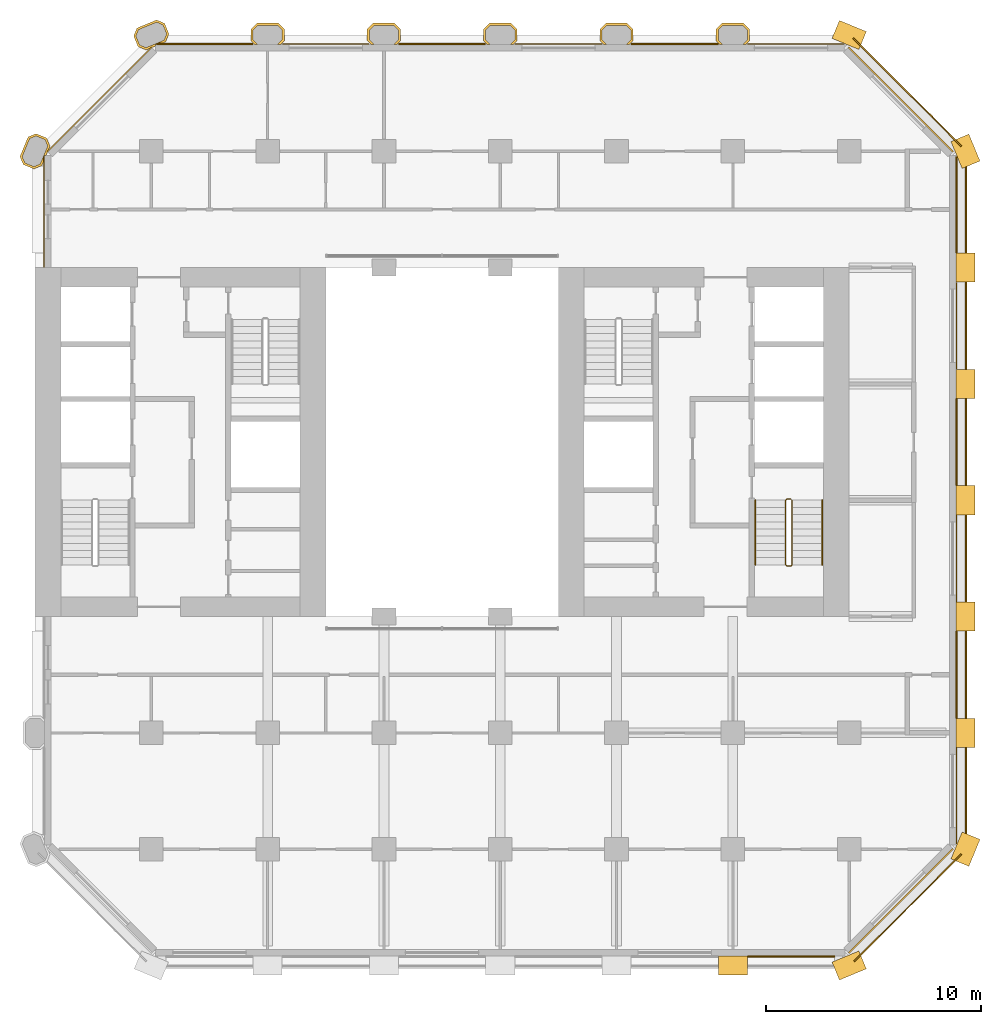
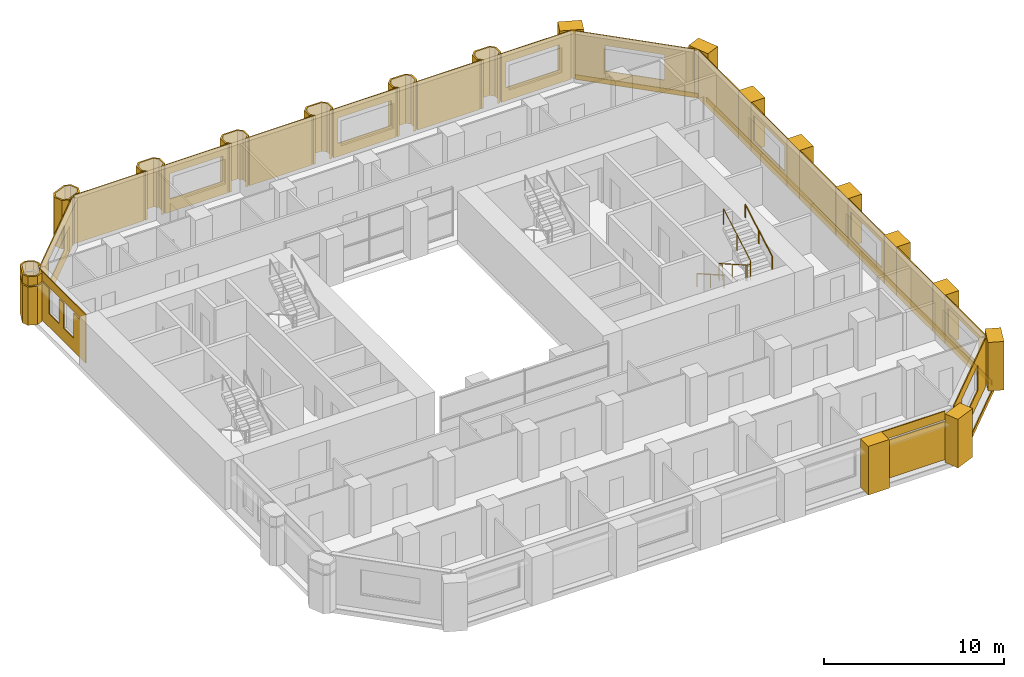
# One storey, part 13 of 13: 39 coverings, 3 railings.
"""IFC4 building model written with IfcOpenShell, lengths in metres."""

from ifc_helpers import new_model, si_unit, direction, frame, frame_2d, origin, origin_2d, place, context, subcontext, project, spatial, polyline, rectangle, circle, outline, extrude, material, layer, layer_set, type_object, element, save


model = new_model("IFC4")

# Units and contexts
model_context = context("Model", 3, precision=1e-05, world=origin(), true_north=direction((0.0, 1.0)))
body_context = subcontext(model_context, "Body", "Model", "MODEL_VIEW")
ifc_project = project(units=[si_unit("LENGTHUNIT", "METRE"), si_unit("AREAUNIT", "SQUARE_METRE"), si_unit("VOLUMEUNIT", "CUBIC_METRE"), si_unit("PLANEANGLEUNIT", "RADIAN"), si_unit("MASSUNIT", "GRAM", prefix="KILO")], contexts=[model_context])

# Site, building, storey
site_placement = place(None, origin())
site = spatial("IfcSite", under=ifc_project, at=site_placement, CompositionType="ELEMENT")
building_placement = place(site_placement, origin())
building = spatial("IfcBuilding", under=site, at=building_placement, Name="Tabaq Tower and Sports Hall", CompositionType="ELEMENT")
storey_placement = place(building_placement, frame((0.0, 0.0, 56.39990234375)))
storey = spatial("IfcBuildingStorey", under=building, at=storey_placement, Name="L12", CompositionType="ELEMENT", Elevation=56.39990234375)

# Coverings
ifc_material_1 = material(Name="Precast concrete C60/75", Category="concrete")
ifc_layer_1 = layer(ifc_material_1, 0.10009765625)
ifc_layer_set_1 = layer_set([ifc_layer_1], Name="Column cladding 100")
covering_type_1 = type_object("IfcCoveringType", Name="Column cladding 100", PredefinedType="CLADDING", material=ifc_layer_set_1)
covering_1_placement = place(storey_placement, origin())
element("IfcCovering", 1, at=covering_1_placement, inside=storey, type_object=covering_type_1, Name="Column cladding L12 PC-2H-O1", PredefinedType="CLADDING", context=body_context, shape_type="SweptSolid", body=[
    extrude(outline(polyline([(4.857421875, 37.186279296875), (4.7041015625, 37.556396484375), (5.080078125, 38.46435546875), (5.450439453125, 38.61767578125), (5.9423828125, 38.413818359375), (6.095947265625, 38.04345703125), (6.026123046875, 37.875), (5.9501953125, 37.799072265625), (5.9814453125, 37.767578125), (5.91796875, 37.614013671875), (5.849609375, 37.614013671875), (5.849609375, 37.55712890625), (5.789794921875, 37.55712890625), (5.789794921875, 37.304443359375), (5.7197265625, 37.1357421875), (5.349609375, 36.982421875), (4.857421875, 37.186279296875)]), holes=[polyline([(5.866455078125, 38.337646484375), (5.450439453125, 38.510009765625), (5.15625, 38.38818359375), (4.811767578125, 37.556396484375), (4.93359375, 37.26220703125), (5.349609375, 37.08984375), (5.643798828125, 37.2119140625), (5.98828125, 38.04345703125), (5.866455078125, 38.337646484375)])]), origin(), (0.0, 0.0, 1.0), 2.60009765625),
])
covering_2_placement = place(storey_placement, frame((0.0, 0.0, 2.7001953125)))
element("IfcCovering", 2, at=covering_2_placement, inside=storey, type_object=covering_type_1, Name="Column cladding L12 PC-2H-O1 2", PredefinedType="CLADDING", context=body_context, shape_type="SweptSolid", body=[
    extrude(outline(polyline([(4.857421875, 37.186279296875), (4.7041015625, 37.556396484375), (5.080078125, 38.46435546875), (5.450439453125, 38.61767578125), (5.9423828125, 38.413818359375), (6.095947265625, 38.04345703125), (6.026123046875, 37.875), (5.9501953125, 37.799072265625), (5.9814453125, 37.767578125), (5.91796875, 37.614013671875), (5.849609375, 37.614013671875), (5.849609375, 37.55712890625), (5.789794921875, 37.55712890625), (5.789794921875, 37.304443359375), (5.7197265625, 37.1357421875), (5.349609375, 36.982421875), (4.857421875, 37.186279296875)]), holes=[polyline([(5.866455078125, 38.337646484375), (5.450439453125, 38.510009765625), (5.15625, 38.38818359375), (4.811767578125, 37.556396484375), (4.93359375, 37.26220703125), (5.349609375, 37.08984375), (5.643798828125, 37.2119140625), (5.98828125, 38.04345703125), (5.866455078125, 38.337646484375)])]), origin(), (0.0, 0.0, 1.0), 0.599853515625),
])
covering_3_placement = place(storey_placement, origin())
element("IfcCovering", 3, at=covering_3_placement, inside=storey, type_object=covering_type_1, Name="Column cladding L12 PC-3I-O1", PredefinedType="CLADDING", context=body_context, shape_type="SweptSolid", body=[
    extrude(outline(polyline([(9.982421875, 43.149658203125), (10.1357421875, 43.519775390625), (11.04345703125, 43.895751953125), (11.413818359375, 43.742431640625), (11.61767578125, 43.25048828125), (11.46435546875, 42.880126953125), (11.295654296875, 42.810302734375), (11.04296875, 42.810302734375), (11.04296875, 42.750244140625), (10.986083984375, 42.750244140625), (10.986083984375, 42.68212890625), (10.83251953125, 42.618408203125), (10.801025390625, 42.64990234375), (10.72509765625, 42.573974609375), (10.556396484375, 42.504150390625), (10.186279296875, 42.657470703125), (9.982421875, 43.149658203125)]), holes=[polyline([(11.510009765625, 43.25048828125), (11.337646484375, 43.66650390625), (11.04345703125, 43.788330078125), (10.2119140625, 43.44384765625), (10.08984375, 43.149658203125), (10.26220703125, 42.733642578125), (10.556396484375, 42.61181640625), (11.38818359375, 42.956298828125), (11.510009765625, 43.25048828125)])]), origin(), (0.0, 0.0, 1.0), 3.300048828125),
])
covering_4_placement = place(storey_placement, origin())
element("IfcCovering", 4, at=covering_4_placement, inside=storey, type_object=covering_type_1, Name="Column cladding L12 PC-4I-O1", PredefinedType="CLADDING", context=body_context, shape_type="SweptSolid", body=[
    extrude(outline(polyline([(15.42529296875, 43.46630859375), (15.708740234375, 43.749755859375), (16.69140625, 43.749755859375), (16.974609375, 43.46630859375), (16.974609375, 42.93359375), (16.791259765625, 42.750244140625), (16.650634765625, 42.750244140625), (16.875244140625, 42.974853515625), (16.875244140625, 43.425048828125), (16.650146484375, 43.650390625), (15.749755859375, 43.650390625), (15.524658203125, 43.425048828125), (15.524658203125, 42.974853515625), (15.749267578125, 42.750244140625), (15.608642578125, 42.750244140625), (15.42529296875, 42.93359375), (15.42529296875, 43.46630859375)])), origin(), (0.0, 0.0, 1.0), 3.300048828125),
])
covering_5_placement = place(storey_placement, origin())
element("IfcCovering", 5, at=covering_5_placement, inside=storey, type_object=covering_type_1, Name="Column cladding L12 PC-5I-O1", PredefinedType="CLADDING", context=body_context, shape_type="SweptSolid", body=[
    extrude(outline(polyline([(20.8251953125, 43.46630859375), (21.108642578125, 43.749755859375), (22.09130859375, 43.749755859375), (22.374755859375, 43.46630859375), (22.374755859375, 42.93359375), (22.19140625, 42.750244140625), (22.05078125, 42.750244140625), (22.275390625, 42.974853515625), (22.275390625, 43.425048828125), (22.050048828125, 43.650390625), (21.14990234375, 43.650390625), (20.9248046875, 43.425048828125), (20.9248046875, 42.974853515625), (21.149169921875, 42.750244140625), (21.0087890625, 42.750244140625), (20.8251953125, 42.93359375), (20.8251953125, 43.46630859375)])), origin(), (0.0, 0.0, 1.0), 3.300048828125),
])
covering_6_placement = place(storey_placement, origin())
element("IfcCovering", 6, at=covering_6_placement, inside=storey, type_object=covering_type_1, Name="Column cladding L12 PC-6I-O1", PredefinedType="CLADDING", context=body_context, shape_type="SweptSolid", body=[
    extrude(outline(polyline([(26.225341796875, 43.46630859375), (26.5087890625, 43.749755859375), (27.4912109375, 43.749755859375), (27.774658203125, 43.46630859375), (27.774658203125, 42.93359375), (27.59130859375, 42.750244140625), (27.45068359375, 42.750244140625), (27.67529296875, 42.974853515625), (27.67529296875, 43.425048828125), (27.4501953125, 43.650390625), (26.5498046875, 43.650390625), (26.32470703125, 43.425048828125), (26.32470703125, 42.974853515625), (26.54931640625, 42.750244140625), (26.40869140625, 42.750244140625), (26.225341796875, 42.93359375), (26.225341796875, 43.46630859375)])), origin(), (0.0, 0.0, 1.0), 3.300048828125),
])
covering_7_placement = place(storey_placement, origin())
element("IfcCovering", 7, at=covering_7_placement, inside=storey, type_object=covering_type_1, Name="Column cladding L12 PC-7I-O1", PredefinedType="CLADDING", context=body_context, shape_type="SweptSolid", body=[
    extrude(outline(polyline([(31.625244140625, 43.46630859375), (31.90869140625, 43.749755859375), (32.891357421875, 43.749755859375), (33.1748046875, 43.46630859375), (33.1748046875, 42.93359375), (32.9912109375, 42.750244140625), (32.850830078125, 42.750244140625), (33.0751953125, 42.974853515625), (33.0751953125, 43.425048828125), (32.85009765625, 43.650390625), (31.949951171875, 43.650390625), (31.724609375, 43.425048828125), (31.724609375, 42.974853515625), (31.94921875, 42.750244140625), (31.80859375, 42.750244140625), (31.625244140625, 42.93359375), (31.625244140625, 43.46630859375)])), origin(), (0.0, 0.0, 1.0), 3.300048828125),
])
covering_8_placement = place(storey_placement, origin())
element("IfcCovering", 8, at=covering_8_placement, inside=storey, type_object=covering_type_1, Name="Column cladding L12 PC-8I-O1", PredefinedType="CLADDING", context=body_context, shape_type="SweptSolid", body=[
    extrude(outline(polyline([(37.025390625, 43.46630859375), (37.30859375, 43.749755859375), (38.291259765625, 43.749755859375), (38.57470703125, 43.46630859375), (38.57470703125, 42.93359375), (38.391357421875, 42.750244140625), (38.250732421875, 42.750244140625), (38.475341796875, 42.974853515625), (38.475341796875, 43.425048828125), (38.250244140625, 43.650390625), (37.349853515625, 43.650390625), (37.124755859375, 43.425048828125), (37.124755859375, 42.974853515625), (37.349365234375, 42.750244140625), (37.208740234375, 42.750244140625), (37.025390625, 42.93359375), (37.025390625, 43.46630859375)])), origin(), (0.0, 0.0, 1.0), 3.300048828125),
])
ifc_material_2 = material(Name="Precast concrete C60/75", Category="concrete")
ifc_layer_2 = layer(ifc_material_2, 0.06005859375)
ifc_layer_set_2 = layer_set([ifc_layer_2], Name="Edge beam cladding 60")
covering_type_2 = type_object("IfcCoveringType", Name="Edge beam cladding 60", PredefinedType="CLADDING", material=ifc_layer_set_2)
covering_9_placement = place(storey_placement, frame((43.432373046875, 0.18994140625, -0.2998046875), z_axis=(0.0, 0.0, 1.0), x_axis=(0.707106781187, 0.707106781187, 0.0)))
element("IfcCovering", 9, at=covering_9_placement, inside=storey, type_object=covering_type_2, Name="Edge beam cladding L12 2", PredefinedType="CLADDING", context=body_context, shape_type="SweptSolid", body=[
    extrude(rectangle(XDim=7.03955078125, YDim=0.06005859375, at=frame_2d((3.519775390625, 0.0))), origin(), (0.0, 0.0, 1.0), 0.2998046875),
])
covering_10_placement = place(storey_placement, frame((48.6298828125, 5.698486328125, -0.2998046875), z_axis=(0.0, 0.0, 1.0), x_axis=(0.0, 1.0, 0.0)))
element("IfcCovering", 10, at=covering_10_placement, inside=storey, type_object=covering_type_2, Name="Edge beam cladding L12 3", PredefinedType="CLADDING", context=body_context, shape_type="SweptSolid", body=[
    extrude(rectangle(XDim=31.802978515625, YDim=0.06005859375, at=frame_2d((15.9013671875, 0.0))), origin(), (0.0, 0.0, 1.0), 0.2998046875),
])
covering_11_placement = place(storey_placement, frame((48.41015625, 38.0322265625, -0.2998046875), z_axis=(0.0, 0.0, 1.0), x_axis=(-0.707106781187, 0.707106781187, 0.0)))
element("IfcCovering", 11, at=covering_11_placement, inside=storey, type_object=covering_type_2, Name="Edge beam cladding L12 4", PredefinedType="CLADDING", context=body_context, shape_type="SweptSolid", body=[
    extrude(rectangle(XDim=7.08837890625, YDim=0.06005859375, at=frame_2d((3.544189453125, 0.0))), origin(), (0.0, 0.0, 1.0), 0.2998046875),
])
ifc_material_3 = material(Name="White precast concrete C60/75", Category="concrete")
covering_type_3 = type_object("IfcCoveringType", Name="Pier cladding hung 1350x900", PredefinedType="CLADDING", material=ifc_material_3)
for number, where, z_axis, x_axis, name in (
    (12, (37.125, 0.0, 0.0), (0.0, 0.0, 1.0), (1.0, 0.0, 0.0), "Hung pier cladding 7/0"),
    (13, (42.576416015625, -0.25830078125, 0.0), (0.0, 0.0, 1.0), (0.923893411637, 0.382649923473, 0.0), "Hung pier cladding 8/0"),
    (14, (43.82373046875, 42.941650390625, 0.0), (0.0, 0.0, 1.0), (-0.923893411637, 0.382649923473, 0.0), "Hung pier cladding 8/8"),
    (15, (48.341796875, 4.7763671875, 0.0), (0.0, 0.0, 1.0), (0.382649923473, 0.923893411637, 0.0), "Hung pier cladding 9/1"),
    (16, (48.60009765625, 10.125, 0.0), (0.0, 0.0, 1.0), (0.0, 1.0, 0.0), "Hung pier cladding 9/2"),
    (17, (48.60009765625, 15.52490234375, 0.0), (0.0, 0.0, 1.0), (0.0, 1.0, 0.0), "Hung pier cladding 9/3"),
):
    element("IfcCovering", number, at=place(storey_placement, frame(where, z_axis=z_axis, x_axis=x_axis)), inside=storey, type_object=covering_type_3, Name=name, PredefinedType="CLADDING", context=body_context, shape_type="SweptSolid", body=[
        extrude(rectangle(XDim=1.35009765625, YDim=0.89990234375, at=frame_2d((0.675048828125, 0.0))), origin(), (0.0, 0.0, 1.0), 3.300048828125),
    ])
covering_12_placement = place(storey_placement, frame((48.60009765625, 20.925048828125, 0.0), z_axis=(0.0, 0.0, 1.0), x_axis=(0.0, 1.0, 0.0)))
element("IfcCovering", 18, at=covering_12_placement, inside=storey, type_object=covering_type_3, Name="Hung pier cladding 9/4", PredefinedType="CLADDING", context=body_context, shape_type="SweptSolid", body=[
    extrude(rectangle(XDim=1.349853515625, YDim=0.89990234375, at=frame_2d((0.6748046875, 0.0))), origin(), (0.0, 0.0, 1.0), 3.300048828125),
])
covering_13_placement = place(storey_placement, frame((48.60009765625, 26.324951171875, 0.0), z_axis=(0.0, 0.0, 1.0), x_axis=(0.0, 1.0, 0.0)))
element("IfcCovering", 19, at=covering_13_placement, inside=storey, type_object=covering_type_3, Name="Hung pier cladding 9/5", PredefinedType="CLADDING", context=body_context, shape_type="SweptSolid", body=[
    extrude(rectangle(XDim=1.35009765625, YDim=0.89990234375, at=frame_2d((0.675048828125, 0.0))), origin(), (0.0, 0.0, 1.0), 3.300048828125),
])
covering_14_placement = place(storey_placement, frame((48.60009765625, 31.72509765625, 0.0), z_axis=(0.0, 0.0, 1.0), x_axis=(0.0, 1.0, 0.0)))
element("IfcCovering", 20, at=covering_14_placement, inside=storey, type_object=covering_type_3, Name="Hung pier cladding 9/6", PredefinedType="CLADDING", context=body_context, shape_type="SweptSolid", body=[
    extrude(rectangle(XDim=1.349853515625, YDim=0.89990234375, at=frame_2d((0.6748046875, 0.0))), origin(), (0.0, 0.0, 1.0), 3.300048828125),
])
covering_15_placement = place(storey_placement, frame((48.8583984375, 37.17626953125, 0.0), z_axis=(0.0, 0.0, 1.0), x_axis=(-0.382649923473, 0.923893411637, 0.0)))
element("IfcCovering", 21, at=covering_15_placement, inside=storey, type_object=covering_type_3, Name="Hung pier cladding 9/7", PredefinedType="CLADDING", context=body_context, shape_type="SweptSolid", body=[
    extrude(rectangle(XDim=1.35009765625, YDim=0.89990234375, at=frame_2d((0.675048828125, 0.0))), origin(), (0.0, 0.0, 1.0), 3.300048828125),
])

# Railings
ifc_material_4 = material(Name="Stainless steel", Category="steel")
railing_type_1 = type_object("IfcRailingType", Name="Stair guard", PredefinedType="GUARDRAIL", material=ifc_material_4)
railing_1_placement = place(storey_placement, frame((40.5, 21.64990234375, 0.0)))
element("IfcRailing", 22, at=railing_1_placement, inside=storey, type_object=railing_type_1, Name="L12 ST3 stair guard 1", PredefinedType="GUARDRAIL", context=body_context, shape_type="SweptSolid", body=[
    extrude(circle(Radius=0.02392578125, at=origin_2d()), frame((0.0, 0.0, 1.076171875), z_axis=(-1.0, 0.0, 0.0), x_axis=(0.0, -1.0, 0.0)), (0.0, 0.0, 1.0), 0.199951171875),
    extrude(circle(Radius=0.02392578125, at=origin_2d()), frame((-0.199951171875, 0.0, 1.076171875), z_axis=(-0.246704845944, -0.245501407671, 0.937478414588), x_axis=(0.705375805398, -0.708833529934, 0.0)), (0.0, 0.0, 1.0), 0.202880859375),
    extrude(circle(Radius=0.02392578125, at=origin_2d()), frame((-0.25, -0.0498046875, 1.26611328125), z_axis=(0.0, -0.868782136927, 0.495194505781), x_axis=(1.0, 0.0, 0.0)), (0.0, 0.0, 1.0), 3.453125),
    extrude(circle(Radius=0.02392578125, at=origin_2d()), frame((-0.25, -3.0498046875, 2.97607421875), z_axis=(0.707106781187, -0.707106781187, 0.0), x_axis=(0.707106781187, 0.707106781187, 0.0)), (0.0, 0.0, 1.0), 0.07080078125),
    extrude(circle(Radius=0.02392578125, at=origin_2d()), frame((-0.199951171875, -3.099853515625, 2.97607421875), z_axis=(1.0, 0.0, 0.0), x_axis=(0.0, 1.0, 0.0)), (0.0, 0.0, 1.0), 0.199951171875),
    extrude(circle(Radius=0.02392578125, at=origin_2d()), frame((0.0, -3.099853515625, 2.97607421875), z_axis=(0.246910188598, 0.246910188598, 0.937054276727), x_axis=(-0.707106781187, 0.707106781187, 0.0)), (0.0, 0.0, 1.0), 0.20263671875),
    extrude(circle(Radius=0.02392578125, at=origin_2d()), frame((0.050048828125, -3.0498046875, 3.166015625), z_axis=(0.0, 0.868782136927, 0.495194505781), x_axis=(-1.0, 0.0, 0.0)), (0.0, 0.0, 1.0), 3.453125),
    extrude(circle(Radius=0.02099609375, at=origin_2d()), origin(), (0.0, 0.0, 1.0), 1.052001953125),
    extrude(circle(Radius=0.02099609375, at=origin_2d()), frame((-0.199951171875, 0.0, 0.0)), (0.0, 0.0, 1.0), 1.052001953125),
    extrude(circle(Radius=0.02099609375, at=origin_2d()), frame((-0.25, -0.0498046875, 0.190185546875)), (0.0, 0.0, 1.0), 1.052001953125),
    extrude(circle(Radius=0.02099609375, at=origin_2d()), frame((-0.25, -1.5498046875, 1.045166015625)), (0.0, 0.0, 1.0), 1.052001953125),
    extrude(circle(Radius=0.02099609375, at=origin_2d()), frame((-0.25, -3.0498046875, 1.900146484375)), (0.0, 0.0, 1.0), 1.052001953125),
    extrude(circle(Radius=0.02099609375, at=origin_2d()), frame((-0.199951171875, -3.099853515625, 1.900146484375)), (0.0, 0.0, 1.0), 1.052001953125),
    extrude(circle(Radius=0.02099609375, at=origin_2d()), frame((0.0, -3.099853515625, 1.900146484375)), (0.0, 0.0, 1.0), 1.052001953125),
    extrude(circle(Radius=0.02099609375, at=origin_2d()), frame((0.050048828125, -3.0498046875, 2.090087890625)), (0.0, 0.0, 1.0), 1.052001953125),
    extrude(circle(Radius=0.02099609375, at=origin_2d()), frame((0.050048828125, -1.5498046875, 2.945068359375)), (0.0, 0.0, 1.0), 1.052001953125),
    extrude(circle(Radius=0.02099609375, at=origin_2d()), frame((0.050048828125, -0.0498046875, 3.800048828125)), (0.0, 0.0, 1.0), 1.052001953125),
])
ifc_material_5 = material(Name="Stainless steel", Category="steel")
railing_type_2 = type_object("IfcRailingType", Name="Stair handrail", PredefinedType="HANDRAIL", material=ifc_material_5)
railing_2_placement = place(storey_placement, frame((38.85009765625, 21.60009765625, 0.190185546875)))
element("IfcRailing", 23, at=railing_2_placement, inside=storey, type_object=railing_type_2, Name="L12 ST3 stair handrail 1", PredefinedType="HANDRAIL", context=body_context, shape_type="SweptSolid", body=[
    extrude(circle(Radius=0.02392578125, at=origin_2d()), frame((0.0, 0.0, 0.8759765625), z_axis=(0.0, -0.868782136927, 0.495194505781), x_axis=(1.0, 0.0, 0.0)), (0.0, 0.0, 1.0), 3.453125),
    extrude(circle(Radius=0.02099609375, at=origin_2d()), origin(), (0.0, 0.0, 1.0), 0.851806640625),
    extrude(circle(Radius=0.02099609375, at=origin_2d()), frame((0.0, -1.5, 0.85498046875)), (0.0, 0.0, 1.0), 0.851806640625),
    extrude(circle(Radius=0.02099609375, at=origin_2d()), frame((0.0, -3.0, 1.7099609375)), (0.0, 0.0, 1.0), 0.851806640625),
])
railing_3_placement = place(storey_placement, frame((41.949951171875, 18.60009765625, 2.090087890625)))
element("IfcRailing", 24, at=railing_3_placement, inside=storey, type_object=railing_type_2, Name="L12 ST3 stair handrail 2", PredefinedType="HANDRAIL", context=body_context, shape_type="SweptSolid", body=[
    extrude(circle(Radius=0.02392578125, at=origin_2d()), frame((0.0, 0.0, 0.8759765625), z_axis=(0.0, 0.868782136927, 0.495194505781), x_axis=(-1.0, 0.0, 0.0)), (0.0, 0.0, 1.0), 3.453125),
    extrude(circle(Radius=0.02099609375, at=origin_2d()), origin(), (0.0, 0.0, 1.0), 0.851806640625),
    extrude(circle(Radius=0.02099609375, at=origin_2d()), frame((0.0, 1.5, 0.85498046875)), (0.0, 0.0, 1.0), 0.851806640625),
    extrude(circle(Radius=0.02099609375, at=origin_2d()), frame((0.0, 3.0, 1.7099609375)), (0.0, 0.0, 1.0), 0.851806640625),
])

# Coverings
ifc_material_6 = material(Name="Precast concrete C60/75", Category="concrete")
ifc_layer_3 = layer(ifc_material_6, 0.06005859375)
ifc_layer_set_3 = layer_set([ifc_layer_3], Name="White precast cladding panel 60 C60/75")
covering_type_4 = type_object("IfcCoveringType", Name="White precast cladding panel 60 C60/75", PredefinedType="CLADDING", material=ifc_layer_set_3)
covering_16_placement = place(storey_placement, frame((38.485107421875, 0.419921875, 0.0), z_axis=(0.0, 0.0, 1.0), x_axis=(1.0, 0.0, 0.0)))
element("IfcCovering", 25, at=covering_16_placement, inside=storey, type_object=covering_type_4, Name="White precast cladding panel L12 wall00 11", PredefinedType="CLADDING", context=body_context, shape_type="SweptSolid", body=[
    extrude(rectangle(XDim=4.0498046875, YDim=0.06005859375, at=frame_2d((2.02490234375, 0.0))), origin(), (0.0, 0.0, 1.0), 2.590087890625),
])
covering_17_placement = place(storey_placement, frame((38.485107421875, 0.419921875, 2.710205078125), z_axis=(0.0, 0.0, 1.0), x_axis=(1.0, 0.0, 0.0)))
element("IfcCovering", 26, at=covering_17_placement, inside=storey, type_object=covering_type_4, Name="White precast cladding panel L12 wall00 12", PredefinedType="CLADDING", context=body_context, shape_type="SweptSolid", body=[
    extrude(rectangle(XDim=4.0498046875, YDim=0.06005859375, at=frame_2d((2.02490234375, 0.0))), origin(), (0.0, 0.0, 1.0), 0.58984375),
])
covering_18_placement = place(storey_placement, frame((43.177734375, 0.57177734375, 0.0), z_axis=(0.0, 0.0, 1.0), x_axis=(0.707106781187, 0.707106781187, 0.0)))
element("IfcCovering", 27, at=covering_18_placement, inside=storey, type_object=covering_type_4, Name="White precast cladding panel L12 wall01", PredefinedType="CLADDING", context=body_context, shape_type="SweptSolid", body=[
    extrude(outline(polyline([(0.0, 0.0), (6.85986328125, 0.0), (6.85986328125, 3.300048828125), (0.0, 3.300048828125), (0.0, 0.0)]), holes=[polyline([(1.7197265625, 0.89013671875), (1.7197265625, 2.610107421875), (5.139892578125, 2.610107421875), (5.139892578125, 0.89013671875), (1.7197265625, 0.89013671875)])]), frame((0.0, 0.030029296875, 0.0), z_axis=(0.0, -1.0, 0.0), x_axis=(1.0, 0.0, 0.0)), (0.0, 0.0, 1.0), 0.06005859375),
])
covering_19_placement = place(storey_placement, frame((48.179931640625, 5.64306640625, 0.0), z_axis=(0.0, 0.0, 1.0), x_axis=(0.0, 1.0, 0.0)))
element("IfcCovering", 28, at=covering_19_placement, inside=storey, type_object=covering_type_4, Name="White precast cladding panel L12 wall02", PredefinedType="CLADDING", context=body_context, shape_type="SweptSolid", body=[
    extrude(outline(polyline([(0.0, 0.0), (4.471923828125, 0.0), (4.471923828125, 3.300048828125), (0.0, 3.300048828125), (0.0, 0.0)]), holes=[polyline([(0.746826171875, 0.89013671875), (0.746826171875, 2.610107421875), (4.166748046875, 2.610107421875), (4.166748046875, 0.89013671875), (0.746826171875, 0.89013671875)])]), frame((0.0, 0.030029296875, 0.0), z_axis=(0.0, -1.0, 0.0), x_axis=(1.0, 0.0, 0.0)), (0.0, 0.0, 1.0), 0.06005859375),
])
covering_20_placement = place(storey_placement, frame((48.179931640625, 11.485107421875, 0.0), z_axis=(0.0, 0.0, 1.0), x_axis=(0.0, 1.0, 0.0)))
element("IfcCovering", 29, at=covering_20_placement, inside=storey, type_object=covering_type_4, Name="White precast cladding panel L12 wall02 2", PredefinedType="CLADDING", context=body_context, shape_type="SweptSolid", body=[
    extrude(rectangle(XDim=4.02978515625, YDim=0.06005859375, at=frame_2d((2.014892578125, 0.0))), origin(), (0.0, 0.0, 1.0), 3.300048828125),
])
covering_21_placement = place(storey_placement, frame((48.179931640625, 16.885009765625, 0.0), z_axis=(0.0, 0.0, 1.0), x_axis=(0.0, 1.0, 0.0)))
element("IfcCovering", 30, at=covering_21_placement, inside=storey, type_object=covering_type_4, Name="White precast cladding panel L12 wall02 3", PredefinedType="CLADDING", context=body_context, shape_type="SweptSolid", body=[
    extrude(outline(polyline([(0.0, 0.0), (4.030029296875, 0.0), (4.030029296875, 3.300048828125), (0.0, 3.300048828125), (0.0, 0.0)]), holes=[polyline([(0.304931640625, 0.89013671875), (0.304931640625, 2.610107421875), (3.72509765625, 2.610107421875), (3.72509765625, 0.89013671875), (0.304931640625, 0.89013671875)])]), frame((0.0, 0.030029296875, 0.0), z_axis=(0.0, -1.0, 0.0), x_axis=(1.0, 0.0, 0.0)), (0.0, 0.0, 1.0), 0.06005859375),
])
covering_22_placement = place(storey_placement, frame((48.179931640625, 22.284912109375, 0.0), z_axis=(0.0, 0.0, 1.0), x_axis=(0.0, 1.0, 0.0)))
element("IfcCovering", 31, at=covering_22_placement, inside=storey, type_object=covering_type_4, Name="White precast cladding panel L12 wall02 4", PredefinedType="CLADDING", context=body_context, shape_type="SweptSolid", body=[
    extrude(rectangle(XDim=4.030029296875, YDim=0.06005859375, at=frame_2d((2.01513671875, 0.0))), origin(), (0.0, 0.0, 1.0), 3.300048828125),
])
covering_23_placement = place(storey_placement, frame((48.179931640625, 27.68505859375, 0.0), z_axis=(0.0, 0.0, 1.0), x_axis=(0.0, 1.0, 0.0)))
element("IfcCovering", 32, at=covering_23_placement, inside=storey, type_object=covering_type_4, Name="White precast cladding panel L12 wall02 5", PredefinedType="CLADDING", context=body_context, shape_type="SweptSolid", body=[
    extrude(outline(polyline([(0.0, 0.0), (4.030029296875, 0.0), (4.030029296875, 3.300048828125), (0.0, 3.300048828125), (0.0, 0.0)]), holes=[polyline([(0.304931640625, 0.89013671875), (0.304931640625, 2.610107421875), (3.72509765625, 2.610107421875), (3.72509765625, 0.89013671875), (0.304931640625, 0.89013671875)])]), frame((0.0, 0.030029296875, 0.0), z_axis=(0.0, -1.0, 0.0), x_axis=(1.0, 0.0, 0.0)), (0.0, 0.0, 1.0), 0.06005859375),
])
covering_24_placement = place(storey_placement, frame((48.179931640625, 33.0849609375, 0.0), z_axis=(0.0, 0.0, 1.0), x_axis=(0.0, 1.0, 0.0)))
element("IfcCovering", 33, at=covering_24_placement, inside=storey, type_object=covering_type_4, Name="White precast cladding panel L12 wall02 6", PredefinedType="CLADDING", context=body_context, shape_type="SweptSolid", body=[
    extrude(rectangle(XDim=4.471923828125, YDim=0.06005859375, at=frame_2d((2.23583984375, 0.0))), origin(), (0.0, 0.0, 1.0), 3.300048828125),
])
covering_25_placement = place(storey_placement, frame((48.0283203125, 37.77783203125, 0.0), z_axis=(0.0, 0.0, 1.0), x_axis=(-0.707124576528, 0.707088985397, 0.0)))
element("IfcCovering", 34, at=covering_25_placement, inside=storey, type_object=covering_type_4, Name="White precast cladding panel L12 wall03", PredefinedType="CLADDING", context=body_context, shape_type="SweptSolid", body=[
    extrude(outline(polyline([(0.0, 0.0), (6.859619140625, 0.0), (6.859619140625, 3.300048828125), (0.0, 3.300048828125), (0.0, 0.0)]), holes=[polyline([(1.7197265625, 0.89013671875), (1.7197265625, 2.610107421875), (5.139892578125, 2.610107421875), (5.139892578125, 0.89013671875), (1.7197265625, 0.89013671875)])]), frame((0.0, 0.030029296875, 0.0), z_axis=(0.0, -1.0, 0.0), x_axis=(1.0, 0.0, 0.0)), (0.0, 0.0, 1.0), 0.06005859375),
])
covering_26_placement = place(storey_placement, frame((42.956787109375, 42.780029296875, 0.0), z_axis=(0.0, 0.0, 1.0), x_axis=(-1.0, 0.0, 0.0)))
element("IfcCovering", 35, at=covering_26_placement, inside=storey, type_object=covering_type_4, Name="White precast cladding panel L12 wall04", PredefinedType="CLADDING", context=body_context, shape_type="SweptSolid", body=[
    extrude(outline(polyline([(0.0, 0.0), (4.4716796875, 0.0), (4.4716796875, 3.300048828125), (0.0, 3.300048828125), (0.0, 0.0)]), holes=[polyline([(0.746826171875, 0.89013671875), (0.746826171875, 2.610107421875), (4.166748046875, 2.610107421875), (4.166748046875, 0.89013671875), (0.746826171875, 0.89013671875)])]), frame((0.0, 0.030029296875, 0.0), z_axis=(0.0, -1.0, 0.0), x_axis=(1.0, 0.0, 0.0)), (0.0, 0.0, 1.0), 0.06005859375),
])
covering_27_placement = place(storey_placement, frame((37.114990234375, 42.780029296875, 0.0), z_axis=(0.0, 0.0, 1.0), x_axis=(-1.0, 0.0, 0.0)))
element("IfcCovering", 36, at=covering_27_placement, inside=storey, type_object=covering_type_4, Name="White precast cladding panel L12 wall04 2", PredefinedType="CLADDING", context=body_context, shape_type="SweptSolid", body=[
    extrude(rectangle(XDim=4.030029296875, YDim=0.06005859375, at=frame_2d((2.01513671875, 0.0))), origin(), (0.0, 0.0, 1.0), 3.300048828125),
])
covering_28_placement = place(storey_placement, frame((31.715087890625, 42.780029296875, 0.0), z_axis=(0.0, 0.0, 1.0), x_axis=(-1.0, 0.0, 0.0)))
element("IfcCovering", 37, at=covering_28_placement, inside=storey, type_object=covering_type_4, Name="White precast cladding panel L12 wall04 3", PredefinedType="CLADDING", context=body_context, shape_type="SweptSolid", body=[
    extrude(outline(polyline([(0.0, 0.0), (4.030029296875, 0.0), (4.030029296875, 3.300048828125), (0.0, 3.300048828125), (0.0, 0.0)]), holes=[polyline([(0.304931640625, 0.89013671875), (0.304931640625, 2.610107421875), (3.72509765625, 2.610107421875), (3.72509765625, 0.89013671875), (0.304931640625, 0.89013671875)])]), frame((0.0, 0.030029296875, 0.0), z_axis=(0.0, -1.0, 0.0), x_axis=(1.0, 0.0, 0.0)), (0.0, 0.0, 1.0), 0.06005859375),
])
covering_29_placement = place(storey_placement, frame((26.31494140625, 42.780029296875, 0.0), z_axis=(0.0, 0.0, 1.0), x_axis=(-1.0, 0.0, 0.0)))
element("IfcCovering", 38, at=covering_29_placement, inside=storey, type_object=covering_type_4, Name="White precast cladding panel L12 wall04 4", PredefinedType="CLADDING", context=body_context, shape_type="SweptSolid", body=[
    extrude(rectangle(XDim=4.030029296875, YDim=0.06005859375, at=frame_2d((2.01513671875, 0.0))), origin(), (0.0, 0.0, 1.0), 3.300048828125),
])
covering_30_placement = place(storey_placement, frame((20.9150390625, 42.780029296875, 0.0), z_axis=(0.0, 0.0, 1.0), x_axis=(-1.0, 0.0, 0.0)))
element("IfcCovering", 39, at=covering_30_placement, inside=storey, type_object=covering_type_4, Name="White precast cladding panel L12 wall04 5", PredefinedType="CLADDING", context=body_context, shape_type="SweptSolid", body=[
    extrude(outline(polyline([(0.0, 0.0), (4.030029296875, 0.0), (4.030029296875, 3.300048828125), (0.0, 3.300048828125), (0.0, 0.0)]), holes=[polyline([(0.304931640625, 0.89013671875), (0.304931640625, 2.610107421875), (3.72509765625, 2.610107421875), (3.72509765625, 0.89013671875), (0.304931640625, 0.89013671875)])]), frame((0.0, 0.030029296875, 0.0), z_axis=(0.0, -1.0, 0.0), x_axis=(1.0, 0.0, 0.0)), (0.0, 0.0, 1.0), 0.06005859375),
])
covering_31_placement = place(storey_placement, frame((15.514892578125, 42.780029296875, 0.0), z_axis=(0.0, 0.0, 1.0), x_axis=(-1.0, 0.0, 0.0)))
element("IfcCovering", 40, at=covering_31_placement, inside=storey, type_object=covering_type_4, Name="White precast cladding panel L12 wall04 6", PredefinedType="CLADDING", context=body_context, shape_type="SweptSolid", body=[
    extrude(rectangle(XDim=4.4716796875, YDim=0.06005859375, at=frame_2d((2.23583984375, 0.0))), origin(), (0.0, 0.0, 1.0), 3.300048828125),
])
covering_32_placement = place(storey_placement, frame((10.822265625, 42.628173828125, 0.0), z_axis=(0.0, 0.0, 1.0), x_axis=(-0.707124576528, -0.707088985397, 0.0)))
element("IfcCovering", 41, at=covering_32_placement, inside=storey, type_object=covering_type_4, Name="White precast cladding panel L12 wall05", PredefinedType="CLADDING", context=body_context, shape_type="SweptSolid", body=[
    extrude(outline(polyline([(0.0, 0.0), (6.859619140625, 0.0), (6.859619140625, 3.300048828125), (0.0, 3.300048828125), (0.0, 0.0)]), holes=[polyline([(1.7197265625, 0.89013671875), (1.7197265625, 2.610107421875), (5.139892578125, 2.610107421875), (5.139892578125, 0.89013671875), (1.7197265625, 0.89013671875)])]), frame((0.0, 0.030029296875, 0.0), z_axis=(0.0, -1.0, 0.0), x_axis=(1.0, 0.0, 0.0)), (0.0, 0.0, 1.0), 0.06005859375),
])
covering_33_placement = place(storey_placement, frame((5.820068359375, 37.556884765625, 0.0), z_axis=(0.0, 0.0, 1.0), x_axis=(0.0, -1.0, 0.0)))
element("IfcCovering", 42, at=covering_33_placement, inside=storey, type_object=covering_type_4, Name="White precast cladding panel L12 wall06", PredefinedType="CLADDING", context=body_context, shape_type="SweptSolid", body=[
    extrude(outline(polyline([(0.0, 0.0), (5.156982421875, 0.0), (5.156982421875, 3.300048828125), (0.0, 3.300048828125), (0.0, 0.0)]), holes=[polyline([(1.096923828125, 2.590087890625), (0.421875, 2.590087890625), (0.421875, 2.710205078125), (4.491943359375, 2.710205078125), (4.491943359375, 2.590087890625), (3.81689453125, 2.590087890625), (3.81689453125, 0.89013671875), (2.69677734375, 0.89013671875), (2.69677734375, 2.590087890625), (2.216796875, 2.590087890625), (2.216796875, 0.89013671875), (1.096923828125, 0.89013671875), (1.096923828125, 2.590087890625)])]), frame((0.0, 0.030029296875, 0.0), z_axis=(0.0, -1.0, 0.0), x_axis=(1.0, 0.0, 0.0)), (0.0, 0.0, 1.0), 0.06005859375),
])

save(model, "model.ifc")
